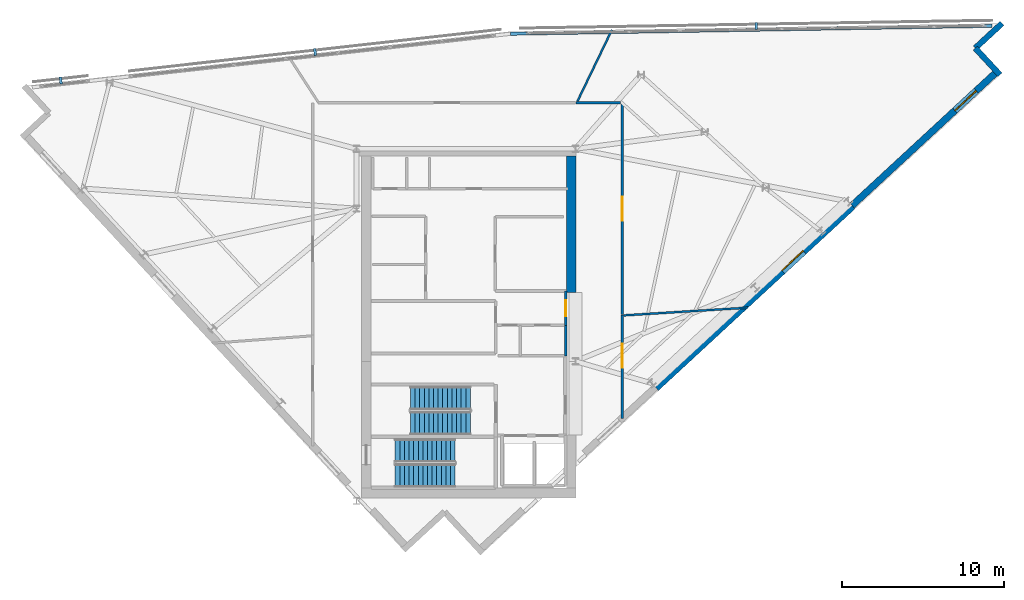
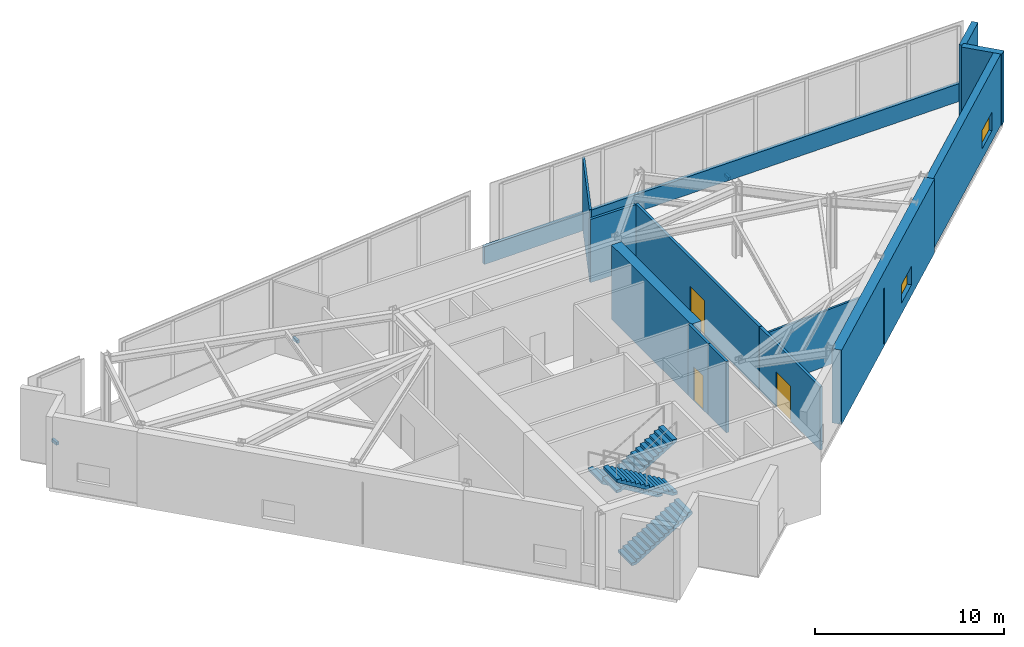
# One storey, part 10 of 12: 13 walls, 4 stair flights, 3 discrete accessories, 3 doors, 2 windows, 5 openings, 2 elements without a shape of their own.
"""IFC4 building model written with IfcOpenShell, lengths in metres."""

import ifcopenshell
import ifcopenshell.guid

model = None  # the IFC model being written
_history = None  # IfcOwnerHistory: only IFC2X3 demands one
_inside = {}  # id of a spatial element -> (the spatial element, [elements in it])
_under = {}  # id of a project, library or spatial element -> (it, [spatial elements below it])
_declared = {}  # id of a project -> (the project, [libraries it declares])
_typed = {}  # id of a type object -> (the type object, [elements of that type])
_made_of = {}  # id of a material, layer set ... -> (it, [elements and type objects made of it])


def new_model(schema):
    """Start an empty IFC model of exactly this schema.

    Asked for "IFC4X3", IfcOpenShell would pick the latest addendum, in which some entities
    have other attributes; the version numbers below select the first issue.
    IFC2X3 requires an IfcOwnerHistory on every rooted entity: one is made here for all.
    """
    global model, _history
    if schema == "IFC4X3":
        model = ifcopenshell.file(schema_version=(4, 3, 0, 0))
    else:
        model = ifcopenshell.file(schema=schema)
    _inside.clear()
    _under.clear()
    _declared.clear()
    _typed.clear()
    _made_of.clear()
    _history = None
    if model.schema == "IFC2X3":
        org = make("IfcOrganization", Name="unknown")
        user = make(
            "IfcPersonAndOrganization",
            ThePerson=make("IfcPerson", FamilyName="unknown"),
            TheOrganization=org,
        )
        app = make(
            "IfcApplication",
            ApplicationDeveloper=org,
            Version="unknown",
            ApplicationFullName="unknown",
            ApplicationIdentifier="unknown",
        )
        _history = make(
            "IfcOwnerHistory",
            OwningUser=user,
            OwningApplication=app,
            ChangeAction="ADDED",
            CreationDate=0,
        )
    return model


def make(cls, **values):
    """One entity of the class cls with the attributes given. An attribute that is None is left unset."""
    return model.create_entity(
        cls, **{name: value for name, value in values.items() if value is not None}
    )


def rooted(cls, **values):
    """An entity with a GlobalId (a new one), such as an element, a storey or a relation."""
    return make(cls, GlobalId=ifcopenshell.guid.new(), OwnerHistory=_history, **values)


def si_unit(unit_type, name, prefix=None):
    """IfcSIUnit, for example si_unit("LENGTHUNIT", "METRE", prefix="MILLI")."""
    return make("IfcSIUnit", UnitType=unit_type, Prefix=prefix, Name=name)


def assignment(units):
    """IfcUnitAssignment: the units of a project."""
    return None if units is None else make("IfcUnitAssignment", Units=units)


def point(xyz):
    """IfcCartesianPoint."""
    return None if xyz is None else make("IfcCartesianPoint", Coordinates=xyz)


def direction(xyz):
    """IfcDirection."""
    return None if xyz is None else make("IfcDirection", DirectionRatios=xyz)


def frame(location, z_axis=None, x_axis=None):
    """IfcAxis2Placement3D, a coordinate frame: its origin and axes. An axis left out is left unset."""
    return make(
        "IfcAxis2Placement3D",
        Location=point(location),
        Axis=direction(z_axis),
        RefDirection=direction(x_axis),
    )


def frame_2d(location, x_axis=None):
    """IfcAxis2Placement2D, a coordinate frame in the plane: its origin and x axis."""
    return make(
        "IfcAxis2Placement2D", Location=point(location), RefDirection=direction(x_axis)
    )


def origin():
    """The frame at (0, 0, 0) with its axes left unset."""
    return frame((0.0, 0.0, 0.0))


def origin_2d():
    """The frame at (0, 0) in the plane with its x axis left unset."""
    return frame_2d((0.0, 0.0))


def place(relative_to, where):
    """IfcLocalPlacement: puts the frame where relative to a parent placement (None: the world)."""
    return make(
        "IfcLocalPlacement", PlacementRelTo=relative_to, RelativePlacement=where
    )


def context(
    kind, dimensions, precision=None, world=None, true_north=None, identifier=None
):
    """IfcGeometricRepresentationContext, for example the 3D "Model" context."""
    return make(
        "IfcGeometricRepresentationContext",
        ContextIdentifier=identifier,
        ContextType=kind,
        CoordinateSpaceDimension=dimensions,
        Precision=precision,
        WorldCoordinateSystem=world,
        TrueNorth=true_north,
    )


def subcontext(parent, identifier, kind, view, scale=None):
    """IfcGeometricRepresentationSubContext, for example "Body" below "Model"."""
    return make(
        "IfcGeometricRepresentationSubContext",
        ContextIdentifier=identifier,
        ContextType=kind,
        ParentContext=parent,
        TargetScale=scale,
        TargetView=view,
    )


def project(units=None, contexts=None):
    """IfcProject with its units and contexts."""
    return rooted(
        "IfcProject",
        Name="project",
        RepresentationContexts=contexts,
        UnitsInContext=assignment(units),
    )


def spatial(cls, under=None, at=None, **own):
    """A site, building, storey or space (cls), placed at a placement, below another one or the project."""
    s = rooted(cls, ObjectPlacement=at, **own)
    if under is not None:
        _under.setdefault(under.id(), (under, []))[1].append(s)
    return s


def polyline(points):
    """IfcPolyline through the points."""
    return make("IfcPolyline", Points=[point(p) for p in points])


def profile(cls, at=None, kind="AREA", **sizes):
    """A parametric profile (cls). Its sizes go by their IFC names, for example OverallWidth=200.0."""
    return make(cls, ProfileType=kind, Position=at, **sizes)


def rectangle(**sizes):
    """IfcRectangleProfileDef."""
    return profile("IfcRectangleProfileDef", **sizes)


def outline(outer, holes=None, kind="AREA"):
    """IfcArbitraryClosedProfileDef: a profile drawn as a closed curve; with holes, ...WithVoids."""
    if holes is None:
        return make("IfcArbitraryClosedProfileDef", ProfileType=kind, OuterCurve=outer)
    return make(
        "IfcArbitraryProfileDefWithVoids",
        ProfileType=kind,
        OuterCurve=outer,
        InnerCurves=holes,
    )


def extrude(swept, where, along, depth):
    """IfcExtrudedAreaSolid: the profile swept, set in the frame where, extruded along a direction by depth."""
    return make(
        "IfcExtrudedAreaSolid",
        SweptArea=swept,
        Position=where,
        ExtrudedDirection=direction(along),
        Depth=depth,
    )


def shape(context_of_items, identifier, shape_type, items):
    """IfcShapeRepresentation: the items that make up one representation, for example the "Body"."""
    return make(
        "IfcShapeRepresentation",
        ContextOfItems=context_of_items,
        RepresentationIdentifier=identifier,
        RepresentationType=shape_type,
        Items=items,
    )


def material(Name=None, Category=None):
    """IfcMaterial."""
    return make("IfcMaterial", Name=Name, Category=Category)


def layer(
    of_material, thickness, ventilated=None, Name=None, Category=None, Priority=None
):
    """IfcMaterialLayer: one layer of a wall or slab, of a material (None: an air gap)."""
    return make(
        "IfcMaterialLayer",
        Material=of_material,
        LayerThickness=thickness,
        IsVentilated=ventilated,
        Name=Name,
        Category=Category,
        Priority=Priority,
    )


def layer_set(layers, Name=None):
    """IfcMaterialLayerSet."""
    return make("IfcMaterialLayerSet", MaterialLayers=layers, LayerSetName=Name)


def made_of(thing, what):
    """Note that an element or type object is made of a material, layer set ...; save() writes the relation."""
    if what is not None:
        _made_of.setdefault(what.id(), (what, []))[1].append(thing)
    return thing


def type_object(cls, material=None, **own):
    """A type object (cls), such as IfcWallType, which elements share."""
    return made_of(rooted(cls, **own), material)


def element(
    cls,
    number,
    at=None,
    inside=None,
    cuts=None,
    type_object=None,
    material=None,
    context=None,
    identifier="Body",
    shape_type=None,
    held_by="IfcProductDefinitionShape",
    body=None,
    shapes=None,
    **own,
):
    """One element of the class cls, such as IfcWall. Its Tag is "e" and its number.

    at: its placement. inside: the storey or other place that contains it. cuts: it is an
    opening in that element (IfcRelVoidsElement). A single representation is given by context,
    identifier, shape_type and body (its items); several are given by shapes. held_by: the class
    of the entity that holds the representations. save() writes the other relations.
    """
    e = rooted(cls, Tag="e%d" % number, ObjectPlacement=at, **own)
    if body is not None:
        shapes = [shape(context, identifier, shape_type, body)]
    if shapes is not None:
        e.Representation = make(held_by, Representations=shapes)
    if inside is not None:
        _inside.setdefault(inside.id(), (inside, []))[1].append(e)
    if cuts is not None:
        rooted(
            "IfcRelVoidsElement", RelatingBuildingElement=cuts, RelatedOpeningElement=e
        )
    if type_object is not None:
        _typed.setdefault(type_object.id(), (type_object, []))[1].append(e)
    return made_of(e, material)


def fill(opening, filler):
    """IfcRelFillsElement: the door or window that sits in an opening."""
    return rooted(
        "IfcRelFillsElement",
        RelatingOpeningElement=opening,
        RelatedBuildingElement=filler,
    )


def aggregate(whole, parts):
    """IfcRelAggregates: a whole, such as a stair, and the parts it consists of."""
    return rooted("IfcRelAggregates", RelatingObject=whole, RelatedObjects=parts)


def save(model, path):
    """Write the relations noted so far, then the file.

    IfcRelAggregates (storeys below a building ...), IfcRelContainedInSpatialStructure (elements
    in a storey), IfcRelDefinesByType, IfcRelAssociatesMaterial and IfcRelDeclares: one each for
    every whole, place, type object, material and project.
    """
    for whole, parts in _under.values():
        aggregate(whole, parts)
    for where, things in _inside.values():
        rooted(
            "IfcRelContainedInSpatialStructure",
            RelatedElements=things,
            RelatingStructure=where,
        )
    for kind, things in _typed.values():
        rooted("IfcRelDefinesByType", RelatedObjects=things, RelatingType=kind)
    for what, things in _made_of.values():
        rooted("IfcRelAssociatesMaterial", RelatedObjects=things, RelatingMaterial=what)
    for by, libraries in _declared.values():
        rooted("IfcRelDeclares", RelatingContext=by, RelatedDefinitions=libraries)
    model.write(path)


model = new_model("IFC4")

# Units and contexts
model_context = context("Model", 3, precision=1e-05, world=origin(), true_north=direction((0.0, 1.0)))
body_context = subcontext(model_context, "Body", "Model", "MODEL_VIEW")
ifc_project = project(units=[si_unit("LENGTHUNIT", "METRE"), si_unit("AREAUNIT", "SQUARE_METRE"), si_unit("VOLUMEUNIT", "CUBIC_METRE"), si_unit("PLANEANGLEUNIT", "RADIAN"), si_unit("MASSUNIT", "GRAM", prefix="KILO")], contexts=[model_context])

# Site, building, storey
site_placement = place(None, origin())
site = spatial("IfcSite", under=ifc_project, at=site_placement, CompositionType="ELEMENT")
building_placement = place(site_placement, origin())
building = spatial("IfcBuilding", under=site, at=building_placement, Name="Narakoshi Arena Tower", CompositionType="ELEMENT")
storey_placement = place(building_placement, frame((0.0, 0.0, 302.97998046875)))
storey = spatial("IfcBuildingStorey", under=building, at=storey_placement, Name="L82", CompositionType="ELEMENT", Elevation=302.97998046875)

# Wall
ifc_material_1 = material(Name="Concrete C50/60", Category="concrete")
ifc_layer_1 = layer(ifc_material_1, 0.60009765625)
ifc_layer_set_1 = layer_set([ifc_layer_1], Name="Concrete C50/60")
wall_type_1 = type_object("IfcWallType", Name="WL-CORE-600", PredefinedType="SHEAR", material=ifc_layer_set_1)
wall_1_placement = place(storey_placement, frame((85.300048828125, 47.60009765625, -0.199951171875), z_axis=(0.0, 0.0, 1.0), x_axis=(0.0, 1.0, 0.0)))
element("IfcWall", 1, at=wall_1_placement, inside=storey, type_object=wall_type_1, Name="L82 Main Core Shear Wall CW-MN-E", PredefinedType="SHEAR", context=body_context, shape_type="SweptSolid", body=[
    extrude(rectangle(XDim=8.449951171875, YDim=0.60009765625, at=frame_2d((4.22509765625, 0.0))), origin(), (0.0, 0.0, 1.0), 4.800048828125),
])

# Wall, opening, door
ifc_material_2 = material(Name="Gypsum plasterboard fire-rated partition")
ifc_layer_2 = layer(ifc_material_2, 0.1650390625)
ifc_layer_set_2 = layer_set([ifc_layer_2], Name="Gypsum plasterboard fire-rated partition")
wall_type_2 = type_object("IfcWallType", Name="WL-CORR-165", PredefinedType="PARTITIONING", material=ifc_layer_set_2)
wall_2_placement = place(storey_placement, frame((84.949951171875, 45.580078125, 0.0), z_axis=(0.0, 0.0, 1.0), x_axis=(0.0, 1.0, 0.0)))
wall_2 = element("IfcWall", 2, at=wall_2_placement, inside=storey, type_object=wall_type_2, Name="L82 Core Wall CPAS-E", PredefinedType="PARTITIONING", context=body_context, shape_type="SweptSolid", body=[
    extrude(rectangle(XDim=2.119873046875, YDim=0.1650390625, at=frame_2d((1.06005859375, 0.0))), origin(), (0.0, 0.0, 1.0), 4.60009765625),
])
opening_1_placement = place(wall_2_placement, frame((0.56005859375, 0.0, 0.0)))
opening_1 = element("IfcOpeningElement", 3, at=opening_1_placement, cuts=wall_2, Name="Opening D-06", PredefinedType="OPENING", context=body_context, shape_type="SweptSolid", body=[
    extrude(rectangle(XDim=1.0, YDim=2.199951171875, at=frame_2d((0.5, 1.10009765625))), frame((0.0, 0.092529296875, 0.0), z_axis=(0.0, -1.0, 0.0), x_axis=(1.0, 0.0, 0.0)), (0.0, 0.0, 1.0), 0.18505859375),
])
ifc_material_3 = material(Name="Stained oak solid-core timber", Category="wood")
door_type_1 = type_object("IfcDoorType", Name="DR-OFF-1000", OperationType="NOTDEFINED", PredefinedType="DOOR", material=ifc_material_3)
door_1_placement = place(opening_1_placement, frame((1.0, 0.0, 0.0), z_axis=(0.0, 0.0, 1.0), x_axis=(-1.0, 0.0, 0.0)))
door_1 = element("IfcDoor", 4, at=door_1_placement, inside=storey, type_object=door_type_1, Name="DR-L82-007", OperationType="SINGLE_SWING_LEFT", OverallHeight=2.199951171875, OverallWidth=1.0, PredefinedType="DOOR", context=body_context, shape_type="SweptSolid", body=[
    extrude(rectangle(XDim=1.0, YDim=2.199951171875, at=frame_2d((0.5, 1.10009765625))), frame((0.0, 0.02490234375, 0.0), z_axis=(0.0, -1.0, 0.0), x_axis=(1.0, 0.0, 0.0)), (0.0, 0.0, 1.0), 0.050048828125),
])
fill(opening_1, door_1)

wall_3_placement = place(storey_placement, frame((88.449951171875, 39.81689453125, 0.0), z_axis=(0.0, 0.0, 1.0), x_axis=(0.0, 1.0, 0.0)))
wall_3 = element("IfcWall", 5, at=wall_3_placement, inside=storey, type_object=wall_type_2, Name="L82 Corridor Partition 02-1", PredefinedType="PARTITIONING", context=body_context, shape_type="SweptSolid", body=[
    extrude(rectangle(XDim=6.403564453125, YDim=0.1650390625, at=frame_2d((3.20166015625, 0.0))), origin(), (0.0, 0.0, 1.0), 4.0849609375),
])
opening_2_placement = place(wall_3_placement, frame((3.127197265625, 0.0, 0.0)))
opening_2 = element("IfcOpeningElement", 6, at=opening_2_placement, cuts=wall_3, Name="Opening D-09", PredefinedType="OPENING", context=body_context, shape_type="SweptSolid", body=[
    extrude(rectangle(XDim=1.5, YDim=2.25, at=frame_2d((0.75, 1.125))), frame((0.0, 0.092529296875, 0.0), z_axis=(0.0, -1.0, 0.0), x_axis=(1.0, 0.0, 0.0)), (0.0, 0.0, 1.0), 0.18505859375),
])
ifc_material_4 = material(Name="Painted galvanized steel", Category="steel")
door_type_2 = type_object("IfcDoorType", Name="DR-PLT-1500", OperationType="DOUBLE_DOOR_SINGLE_SWING", PredefinedType="DOOR", material=ifc_material_4)
door_2_placement = place(opening_2_placement, frame((1.5, 0.0, 0.0), z_axis=(0.0, 0.0, 1.0), x_axis=(-1.0, 0.0, 0.0)))
door_2 = element("IfcDoor", 7, at=door_2_placement, inside=storey, type_object=door_type_2, Name="DR-L82-016", OperationType="DOUBLE_DOOR_SINGLE_SWING", OverallHeight=2.25, OverallWidth=1.5, PredefinedType="DOOR", context=body_context, shape_type="SweptSolid", body=[
    extrude(rectangle(XDim=1.5, YDim=2.25, at=frame_2d((0.75, 1.125))), frame((0.0, 0.02490234375, 0.0), z_axis=(0.0, -1.0, 0.0), x_axis=(1.0, 0.0, 0.0)), (0.0, 0.0, 1.0), 0.050048828125),
])
fill(opening_2, door_2)

wall_4_placement = place(storey_placement, frame((88.449951171875, 46.244384765625, 0.0), z_axis=(0.0, 0.0, 1.0), x_axis=(0.0, 1.0, 0.0)))
wall_4 = element("IfcWall", 8, at=wall_4_placement, inside=storey, type_object=wall_type_2, Name="L82 Corridor Partition 03-1", PredefinedType="PARTITIONING", context=body_context, shape_type="SweptSolid", body=[
    extrude(rectangle(XDim=13.105712890625, YDim=0.1650390625, at=frame_2d((6.552734375, 0.0))), origin(), (0.0, 0.0, 1.0), 4.0849609375),
])
opening_3_placement = place(wall_4_placement, frame((5.802734375, 0.0, 0.0)))
opening_3 = element("IfcOpeningElement", 9, at=opening_3_placement, cuts=wall_4, Name="Opening D-09", PredefinedType="OPENING", context=body_context, shape_type="SweptSolid", body=[
    extrude(rectangle(XDim=1.5, YDim=2.25, at=frame_2d((0.75, 1.125))), frame((0.0, 0.092529296875, 0.0), z_axis=(0.0, -1.0, 0.0), x_axis=(1.0, 0.0, 0.0)), (0.0, 0.0, 1.0), 0.18505859375),
])
door_3_placement = place(opening_3_placement, frame((1.5, 0.0, 0.0), z_axis=(0.0, 0.0, 1.0), x_axis=(-1.0, 0.0, 0.0)))
door_3 = element("IfcDoor", 10, at=door_3_placement, inside=storey, type_object=door_type_2, Name="DR-L82-017", OperationType="DOUBLE_DOOR_SINGLE_SWING", OverallHeight=2.25, OverallWidth=1.5, PredefinedType="DOOR", context=body_context, shape_type="SweptSolid", body=[
    extrude(rectangle(XDim=1.5, YDim=2.25, at=frame_2d((0.75, 1.125))), frame((0.0, 0.02490234375, 0.0), z_axis=(0.0, -1.0, 0.0), x_axis=(1.0, 0.0, 0.0)), (0.0, 0.0, 1.0), 0.050048828125),
])
fill(opening_3, door_3)

# Wall
wall_5_placement = place(storey_placement, frame((88.35546875, 59.35009765625, 0.0), z_axis=(0.0, 0.0, 1.0), x_axis=(-1.0, 0.0, 0.0)))
element("IfcWall", 11, at=wall_5_placement, inside=storey, type_object=wall_type_2, Name="L82 Corridor Partition 03-2", PredefinedType="PARTITIONING", context=body_context, shape_type="SweptSolid", body=[
    extrude(rectangle(XDim=2.761474609375, YDim=0.1650390625, at=frame_2d((1.380859375, 0.0))), origin(), (0.0, 0.0, 1.0), 4.0849609375),
])

# Wall, opening, window
ifc_layer_3 = layer(ifc_material_1, 0.550048828125)
ifc_layer_set_3 = layer_set([ifc_layer_3], Name="Concrete C50/60")
wall_type_3 = type_object("IfcWallType", Name="WL-LEG-550", PredefinedType="SHEAR", material=ifc_layer_set_3)
wall_6_placement = place(storey_placement, frame((90.5078125, 41.739501953125, -0.199951171875), z_axis=(0.0, 0.0, 1.0), x_axis=(0.734315848115, 0.678807951638, 0.0)))
wall_6 = element("IfcWall", 12, at=wall_6_placement, inside=storey, type_object=wall_type_3, Name="L82 Architectural Concrete Structural Wall LEGA-3", PredefinedType="SHEAR", context=body_context, shape_type="SweptSolid", body=[
    extrude(outline(polyline([(0.0, 0.0), (16.57275390625, 0.0), (16.572998046875, 4.800048828125), (0.0, 4.800048828125), (0.0, 0.0)])), frame((0.0, 0.27490234375, 0.0), z_axis=(0.0, -1.0, 0.0), x_axis=(1.0, 0.0, 0.0)), (0.0, 0.0, 1.0), 0.550048828125),
])
opening_4_placement = place(wall_6_placement, frame((10.654052734375, 0.0, 0.699951171875)))
opening_4 = element("IfcOpeningElement", 13, at=opening_4_placement, cuts=wall_6, Name="Opening WN-05", PredefinedType="OPENING", context=body_context, shape_type="SweptSolid", body=[
    extrude(rectangle(XDim=1.800048828125, YDim=1.199951171875, at=frame_2d((0.89990234375, 0.60009765625))), frame((0.0, 0.284912109375, 0.0), z_axis=(0.0, -1.0, 0.0), x_axis=(1.0, 0.0, 0.0)), (0.0, 0.0, 1.0), 0.570068359375),
])
ifc_material_5 = material(Name="Bronze-tinted low-E laminated glass", Category="glass")
window_type = type_object("IfcWindowType", Name="WIN-SLT-18x12", PartitioningType="SINGLE_PANEL", PredefinedType="WINDOW", material=ifc_material_5)
window_1_placement = place(opening_4_placement, origin())
window_1 = element("IfcWindow", 14, at=window_1_placement, inside=storey, type_object=window_type, Name="L82 LEGA3 Horizontal Slot Window 1", OverallHeight=1.199951171875, OverallWidth=1.800048828125, PartitioningType="SINGLE_PANEL", PredefinedType="WINDOW", context=body_context, shape_type="SweptSolid", body=[
    extrude(rectangle(XDim=1.800048828125, YDim=1.199951171875, at=frame_2d((0.89990234375, 0.60009765625))), frame((0.0, 0.030029296875, 0.0), z_axis=(0.0, -1.0, 0.0), x_axis=(1.0, 0.0, 0.0)), (0.0, 0.0, 1.0), 0.06005859375),
])
fill(opening_4, window_1)

# Walls
ifc_material_6 = material(Name="Precast concrete C45/55", Category="concrete")
ifc_layer_4 = layer(ifc_material_6, 0.25)
ifc_layer_set_4 = layer_set([ifc_layer_4], Name="Precast concrete C45/55")
wall_type_4 = type_object("IfcWallType", Name="WL-PARA-250", PredefinedType="PARAPET", material=ifc_layer_set_4)
wall_7_placement = place(storey_placement, frame((81.5478515625, 63.622802734375, 0.0), z_axis=(0.0, 0.0, 1.0), x_axis=(0.999864617327, 0.016454392015, 0.0)))
element("IfcWall", 15, at=wall_7_placement, inside=storey, type_object=wall_type_4, Name="L82 Crown Sill Upstand Parapet 04", PredefinedType="PARAPET", context=body_context, shape_type="SweptSolid", body=[
    extrude(rectangle(XDim=29.77880859375, YDim=0.199951171875, at=frame_2d((14.889404296875, 0.0))), origin(), (0.0, 0.0, 1.0), 1.14990234375),
])
ifc_layer_5 = layer(ifc_material_2, 0.125)
ifc_layer_set_5 = layer_set([ifc_layer_5], Name="Gypsum plasterboard fire-rated partition")
wall_type_5 = type_object("IfcWallType", Name="WL-PART-125", PredefinedType="PARTITIONING", material=ifc_layer_set_5)
wall_8_placement = place(storey_placement, frame((88.54443359375, 46.1904296875, 0.0), z_axis=(0.0, 0.0, 1.0), x_axis=(0.998073207011, 0.062047348432, 0.0)))
element("IfcWall", 16, at=wall_8_placement, inside=storey, type_object=wall_type_5, Name="L82 Inter-Room Partition 02-03", PredefinedType="PARTITIONING", context=body_context, shape_type="SweptSolid", body=[
    extrude(rectangle(XDim=7.716064453125, YDim=0.125, at=frame_2d((3.85791015625, 0.0))), origin(), (0.0, 0.0, 1.0), 3.5849609375),
])
wall_9_placement = place(storey_placement, frame((85.679931640625, 59.444580078125, 0.0), z_axis=(0.0, 0.0, 1.0), x_axis=(0.434516788422, 0.900663733354, 0.0)))
element("IfcWall", 17, at=wall_9_placement, inside=storey, type_object=wall_type_5, Name="L82 Inter-Room Partition 03-04", PredefinedType="PARTITIONING", context=body_context, shape_type="SweptSolid", body=[
    extrude(rectangle(XDim=4.908935546875, YDim=0.125, at=frame_2d((2.45458984375, 0.0))), origin(), (0.0, 0.0, 1.0), 4.60009765625),
])

# Wall, opening, window
ifc_layer_6 = layer(ifc_material_6, 0.419921875)
ifc_layer_set_6 = layer_set([ifc_layer_6], Name="Precast concrete C45/55")
wall_type_6 = type_object("IfcWallType", Name="WL-POD-420", PredefinedType="SOLIDWALL", material=ifc_layer_set_6)
wall_10_placement = place(storey_placement, frame((102.677490234375, 52.9892578125, 0.0), z_axis=(0.0, 0.0, 1.0), x_axis=(0.734331107219, 0.678791444386, 0.0)))
wall_10 = element("IfcWall", 18, at=wall_10_placement, inside=storey, type_object=wall_type_6, Name="L82 Architectural Concrete Facade Wall LEGA-4", PredefinedType="SOLIDWALL", context=body_context, shape_type="SweptSolid", body=[
    extrude(outline(polyline([(0.0, 0.0), (12.21142578125, 0.0), (12.211669921875, 4.60009765625), (0.0, 4.60009765625), (0.0, 0.0)])), frame((0.0, 0.2099609375, 0.0), z_axis=(0.0, -1.0, 0.0), x_axis=(1.0, 0.0, 0.0)), (0.0, 0.0, 1.0), 0.419921875),
])
opening_5_placement = place(wall_10_placement, frame((8.665283203125, 0.0, 0.699951171875)))
opening_5 = element("IfcOpeningElement", 19, at=opening_5_placement, cuts=wall_10, Name="Opening WN-05", PredefinedType="OPENING", context=body_context, shape_type="SweptSolid", body=[
    extrude(rectangle(XDim=1.800048828125, YDim=1.199951171875, at=frame_2d((0.89990234375, 0.60009765625))), frame((0.0, 0.219970703125, 0.0), z_axis=(0.0, -1.0, 0.0), x_axis=(1.0, 0.0, 0.0)), (0.0, 0.0, 1.0), 0.43994140625),
])
window_2_placement = place(opening_5_placement, origin())
window_2 = element("IfcWindow", 20, at=window_2_placement, inside=storey, type_object=window_type, Name="L82 LEGA4 Horizontal Slot Window 1", OverallHeight=1.199951171875, OverallWidth=1.800048828125, PartitioningType="SINGLE_PANEL", PredefinedType="WINDOW", context=body_context, shape_type="SweptSolid", body=[
    extrude(rectangle(XDim=1.800048828125, YDim=1.199951171875, at=frame_2d((0.89990234375, 0.60009765625))), frame((0.0, 0.030029296875, 0.0), z_axis=(0.0, -1.0, 0.0), x_axis=(1.0, 0.0, 0.0)), (0.0, 0.0, 1.0), 0.06005859375),
])
fill(opening_5, window_2)

# Walls
for number, where, z_axis, x_axis, name in (
    (21, (111.83154296875, 61.076416015625, 0.0), (0.0, 0.0, 1.0), (-0.678792531533, 0.734330102294, 0.0), "L82 Re-Entrant Corner Notch Wall NTE-1"),
    (22, (110.30078125, 62.732421875, 0.0), (0.0, 0.0, 1.0), (0.734330102294, 0.678792531533, 0.0), "L82 Re-Entrant Corner Notch Wall NTE-2"),
):
    element("IfcWall", number, at=place(storey_placement, frame(where, z_axis=z_axis, x_axis=x_axis)), inside=storey, type_object=wall_type_6, Name=name, PredefinedType="SOLIDWALL", context=body_context, shape_type="SweptSolid", body=[
        extrude(rectangle(XDim=2.255126953125, YDim=0.360107421875, at=frame_2d((1.12744140625, 0.0))), origin(), (0.0, 0.0, 1.0), 4.60009765625),
    ])
ifc_material_7 = material(Name="Concrete C40/50", Category="concrete")
ifc_layer_7 = layer(ifc_material_7, 0.280029296875)
ifc_layer_set_7 = layer_set([ifc_layer_7], Name="Concrete C40/50")
wall_type_7 = type_object("IfcWallType", Name="WL-RISER-280", PredefinedType="PLUMBINGWALL", material=ifc_layer_set_7)
wall_11_placement = place(storey_placement, frame((84.949951171875, 43.679931640625, 0.0), z_axis=(0.0, 0.0, 1.0), x_axis=(0.0, 1.0, 0.0)))
element("IfcWall", 23, at=wall_11_placement, inside=storey, type_object=wall_type_7, Name="L82 Core Wall RSR-E", PredefinedType="PLUMBINGWALL", context=body_context, shape_type="SweptSolid", body=[
    extrude(rectangle(XDim=1.900146484375, YDim=0.1650390625, at=frame_2d((0.9501953125, 0.0))), origin(), (0.0, 0.0, 1.0), 4.60009765625),
])

# Stair, stair flights
ifc_material_8 = material(Name="Concrete C45/55", Category="concrete")
stair_type = type_object("IfcStairType", Name="STR-CRN-480", PredefinedType="TWO_STRAIGHT_RUN_STAIR", material=ifc_material_8)
stair_1_placement = place(storey_placement, origin())
stair_1 = element("IfcStair", 24, at=stair_1_placement, inside=storey, type_object=stair_type, Name="L82 Core Escape Stair ST1", PredefinedType="TWO_STRAIGHT_RUN_STAIR")
stair_flight_type = type_object("IfcStairFlightType", Name="FLT-135-160", PredefinedType="STRAIGHT", material=ifc_material_6)
stair_flight_1_placement = place(storey_placement, frame((74.39990234375, 36.27490234375, 0.0), z_axis=(0.0, 0.0, 1.0), x_axis=(1.0, 0.0, 0.0)))
stair_flight_1 = element("IfcStairFlight", 25, at=stair_flight_1_placement, type_object=stair_flight_type, Name="ST1 flight 1", NumberOfRisers=14, NumberOfTreads=13, PredefinedType="STRAIGHT", RiserHeight=0.171428571, TreadLength=0.285, context=body_context, shape_type="SweptSolid", body=[
    extrude(outline(polyline([(0.0, 0.0), (0.0, 0.17138671875), (0.284912109375, 0.17138671875), (0.284912109375, 0.3427734375), (0.570068359375, 0.3427734375), (0.570068359375, 0.514404296875), (0.85498046875, 0.514404296875), (0.85498046875, 0.685791015625), (1.139892578125, 0.685791015625), (1.139892578125, 0.857177734375), (1.425048828125, 0.857177734375), (1.425048828125, 1.028564453125), (1.7099609375, 1.028564453125), (1.7099609375, 1.199951171875), (1.9951171875, 1.199951171875), (1.9951171875, 1.371337890625), (2.280029296875, 1.371337890625), (2.280029296875, 1.54296875), (2.56494140625, 1.54296875), (2.56494140625, 1.71435546875), (2.85009765625, 1.71435546875), (2.85009765625, 1.8857421875), (3.135009765625, 1.8857421875), (3.135009765625, 2.05712890625), (3.419921875, 2.05712890625), (3.419921875, 2.228515625), (3.705078125, 2.228515625), (3.705078125, 2.39990234375), (3.705078125, 2.0537109375), (0.290771484375, 0.0), (0.0, 0.0)])), frame((0.0, 0.72509765625, 0.0), z_axis=(0.0, -1.0, 0.0), x_axis=(1.0, 0.0, 0.0)), (0.0, 0.0, 1.0), 1.449951171875),
])
stair_flight_2_placement = place(storey_placement, frame((78.10498046875, 37.824951171875, 2.39990234375), z_axis=(0.0, 0.0, 1.0), x_axis=(-1.0, 0.0, 0.0)))
stair_flight_2 = element("IfcStairFlight", 26, at=stair_flight_2_placement, type_object=stair_flight_type, Name="ST1 flight 2", NumberOfRisers=14, NumberOfTreads=13, PredefinedType="STRAIGHT", RiserHeight=0.171428571, TreadLength=0.285, context=body_context, shape_type="SweptSolid", body=[
    extrude(outline(polyline([(0.0, 0.0), (0.0, 0.17138671875), (0.284912109375, 0.17138671875), (0.284912109375, 0.3427734375), (0.570068359375, 0.3427734375), (0.570068359375, 0.514404296875), (0.85498046875, 0.514404296875), (0.85498046875, 0.685791015625), (1.139892578125, 0.685791015625), (1.139892578125, 0.857177734375), (1.425048828125, 0.857177734375), (1.425048828125, 1.028564453125), (1.7099609375, 1.028564453125), (1.7099609375, 1.199951171875), (1.9951171875, 1.199951171875), (1.9951171875, 1.371337890625), (2.280029296875, 1.371337890625), (2.280029296875, 1.54296875), (2.56494140625, 1.54296875), (2.56494140625, 1.71435546875), (2.85009765625, 1.71435546875), (2.85009765625, 1.8857421875), (3.135009765625, 1.8857421875), (3.135009765625, 2.05712890625), (3.419921875, 2.05712890625), (3.419921875, 2.228515625), (3.705078125, 2.228515625), (3.705078125, 2.39990234375), (3.705078125, 2.0537109375), (0.290771484375, 0.0), (0.0, 0.0)])), frame((0.0, 0.72509765625, 0.0), z_axis=(0.0, -1.0, 0.0), x_axis=(1.0, 0.0, 0.0)), (0.0, 0.0, 1.0), 1.449951171875),
])
aggregate(stair_1, [stair_flight_1, stair_flight_2])

stair_2_placement = place(storey_placement, origin())
stair_2 = element("IfcStair", 27, at=stair_2_placement, inside=storey, type_object=stair_type, Name="L82 Core Escape Stair ST2", PredefinedType="TWO_STRAIGHT_RUN_STAIR")
stair_flight_3_placement = place(storey_placement, frame((79.050048828125, 41.074951171875, 0.0), z_axis=(0.0, 0.0, 1.0), x_axis=(-1.0, 0.0, 0.0)))
stair_flight_3 = element("IfcStairFlight", 28, at=stair_flight_3_placement, type_object=stair_flight_type, Name="ST2 flight 1", NumberOfRisers=14, NumberOfTreads=13, PredefinedType="STRAIGHT", RiserHeight=0.171428571, TreadLength=0.285, context=body_context, shape_type="SweptSolid", body=[
    extrude(outline(polyline([(0.0, 0.0), (0.0, 0.17138671875), (0.284912109375, 0.17138671875), (0.284912109375, 0.3427734375), (0.570068359375, 0.3427734375), (0.570068359375, 0.514404296875), (0.85498046875, 0.514404296875), (0.85498046875, 0.685791015625), (1.139892578125, 0.685791015625), (1.139892578125, 0.857177734375), (1.425048828125, 0.857177734375), (1.425048828125, 1.028564453125), (1.7099609375, 1.028564453125), (1.7099609375, 1.199951171875), (1.9951171875, 1.199951171875), (1.9951171875, 1.371337890625), (2.280029296875, 1.371337890625), (2.280029296875, 1.54296875), (2.56494140625, 1.54296875), (2.56494140625, 1.71435546875), (2.85009765625, 1.71435546875), (2.85009765625, 1.8857421875), (3.135009765625, 1.8857421875), (3.135009765625, 2.05712890625), (3.419921875, 2.05712890625), (3.419921875, 2.228515625), (3.705078125, 2.228515625), (3.705078125, 2.39990234375), (3.705078125, 2.0537109375), (0.290771484375, 0.0), (0.0, 0.0)])), frame((0.0, 0.72509765625, 0.0), z_axis=(0.0, -1.0, 0.0), x_axis=(1.0, 0.0, 0.0)), (0.0, 0.0, 1.0), 1.449951171875),
])
stair_flight_4_placement = place(storey_placement, frame((75.344970703125, 39.52490234375, 2.39990234375), z_axis=(0.0, 0.0, 1.0), x_axis=(1.0, 0.0, 0.0)))
stair_flight_4 = element("IfcStairFlight", 29, at=stair_flight_4_placement, type_object=stair_flight_type, Name="ST2 flight 2", NumberOfRisers=14, NumberOfTreads=13, PredefinedType="STRAIGHT", RiserHeight=0.171428571, TreadLength=0.285, context=body_context, shape_type="SweptSolid", body=[
    extrude(outline(polyline([(0.0, 0.0), (0.0, 0.17138671875), (0.284912109375, 0.17138671875), (0.284912109375, 0.3427734375), (0.570068359375, 0.3427734375), (0.570068359375, 0.514404296875), (0.85498046875, 0.514404296875), (0.85498046875, 0.685791015625), (1.139892578125, 0.685791015625), (1.139892578125, 0.857177734375), (1.425048828125, 0.857177734375), (1.425048828125, 1.028564453125), (1.7099609375, 1.028564453125), (1.7099609375, 1.199951171875), (1.9951171875, 1.199951171875), (1.9951171875, 1.371337890625), (2.280029296875, 1.371337890625), (2.280029296875, 1.54296875), (2.56494140625, 1.54296875), (2.56494140625, 1.71435546875), (2.85009765625, 1.71435546875), (2.85009765625, 1.8857421875), (3.135009765625, 1.8857421875), (3.135009765625, 2.05712890625), (3.419921875, 2.05712890625), (3.419921875, 2.228515625), (3.705078125, 2.228515625), (3.705078125, 2.39990234375), (3.705078125, 2.0537109375), (0.290771484375, 0.0), (0.0, 0.0)])), frame((0.0, 0.72509765625, 0.0), z_axis=(0.0, -1.0, 0.0), x_axis=(1.0, 0.0, 0.0)), (0.0, 0.0, 1.0), 1.449951171875),
])
aggregate(stair_2, [stair_flight_3, stair_flight_4])

# Discrete accessories
ifc_material_9 = material(Name="Structural steel S355J2", Category="steel")
discrete_accessory_type = type_object("IfcDiscreteAccessoryType", Name="ACC-BRK-SCR", PredefinedType="BRACKET", material=ifc_material_9)
for number, where, z_axis, x_axis, name in (
    (30, (53.699951171875, 60.722900390625, -0.080078125), (0.0, 0.0, 1.0), (0.993775698738, 0.111399553846, 0.0), "L82 Solar Screen Support Bracket SHD-L82-CRNSCR5S1"),
    (31, (69.438232421875, 62.487060546875, -0.080078125), (0.0, 0.0, 1.0), (0.993775698738, 0.111399553846, 0.0), "L82 Solar Screen Support Bracket SHD-L82-CRNSCR5S2"),
    (32, (96.746337890625, 64.093017578125, -0.080078125), (0.0, 0.0, 1.0), (0.999864849778, 0.016440260879, 0.0), "L82 Solar Screen Support Bracket SHD-L82-CRNSCR6S1"),
):
    element("IfcDiscreteAccessory", number, at=place(storey_placement, frame(where, z_axis=z_axis, x_axis=x_axis)), inside=storey, type_object=discrete_accessory_type, Name=name, PredefinedType="BRACKET", context=body_context, shape_type="SweptSolid", body=[
        extrude(rectangle(XDim=0.159912109375, YDim=0.43994140625, at=origin_2d()), origin(), (0.0, 0.0, 1.0), 0.199951171875),
    ])

save(model, "model.ifc")
